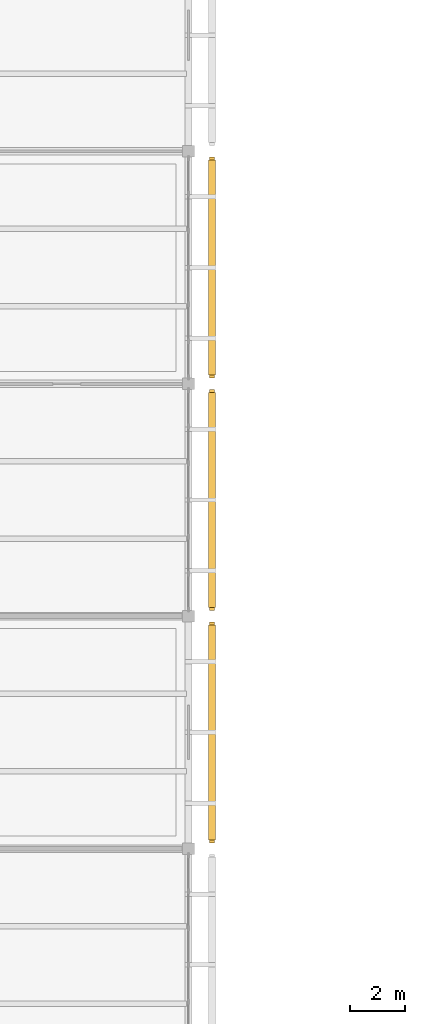
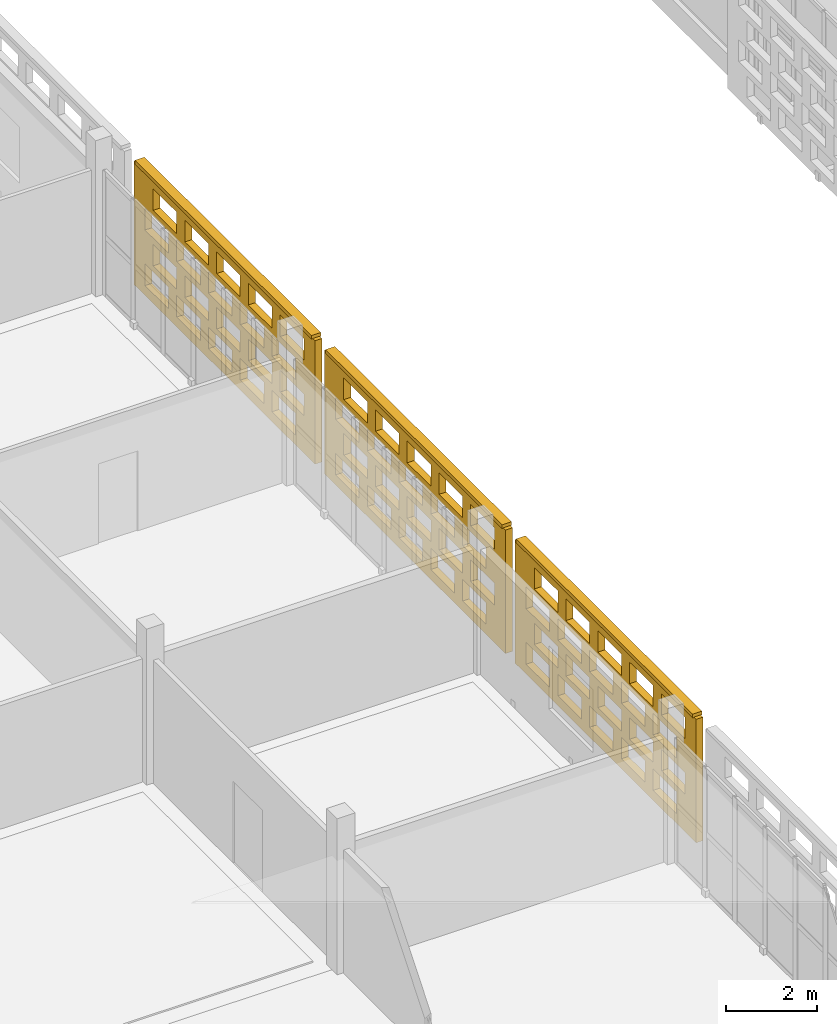
# One storey, part 108 of 140: 3 coverings, 3 shading devices, 60 openings.
"""IFC4 building model written with IfcOpenShell, lengths in metres."""

from ifc_helpers import new_model, si_unit, direction, frame, frame_2d, origin, origin_2d, place, context, subcontext, project, spatial, rectangle, extrude, material, layer, layer_set, type_object, element, save


model = new_model("IFC4")

# Units and contexts
model_context = context("Model", 3, precision=1e-05, world=origin(), true_north=direction((0.0, 1.0)))
body_context = subcontext(model_context, "Body", "Model", "MODEL_VIEW")
ifc_project = project(units=[si_unit("LENGTHUNIT", "METRE"), si_unit("AREAUNIT", "SQUARE_METRE"), si_unit("VOLUMEUNIT", "CUBIC_METRE"), si_unit("PLANEANGLEUNIT", "RADIAN"), si_unit("MASSUNIT", "GRAM", prefix="KILO")], contexts=[model_context])

# Site, building, storey
site_placement = place(None, origin())
site = spatial("IfcSite", under=ifc_project, at=site_placement, CompositionType="ELEMENT")
building_placement = place(site_placement, origin())
building = spatial("IfcBuilding", under=site, at=building_placement, Name="Varnapada Polytechnic", CompositionType="ELEMENT")
storey_placement = place(building_placement, frame((0.0, 0.0, 13.800048828125)))
storey = spatial("IfcBuildingStorey", under=building, at=storey_placement, Name="L03", CompositionType="ELEMENT", Elevation=13.800048828125)

# Covering, openings
ifc_material = material(Name="Earth-toned architectural terracotta screen block", Category="masonry")
ifc_layer_1 = layer(ifc_material, 0.1201171875)
ifc_layer_set_1 = layer_set([ifc_layer_1], Name="Earth-toned architectural terracotta screen block")
covering_type = type_object("IfcCoveringType", Name="Terracotta Screen Cladding CLD-01", PredefinedType="CLADDING", material=ifc_layer_set_1)
covering_1_placement = place(storey_placement, frame((34.449951171875, 75.389892578125, 0.0), z_axis=(0.0, 0.0, 1.0), x_axis=(0.0, -1.0, 0.0)))
covering_1 = element("IfcCovering", 1, at=covering_1_placement, inside=storey, type_object=covering_type, Name="L03 perforated terracotta block screen (25)", PredefinedType="CLADDING", context=body_context, shape_type="SweptSolid", body=[
    extrude(rectangle(XDim=7.97998046875, YDim=0.179931640625, at=frame_2d((3.989990234375, 0.0))), origin(), (0.0, 0.0, 1.0), 3.320068359375),
])
opening_1_placement = place(covering_1_placement, frame((0.489990234375, 0.0, 0.265625)))
element("IfcOpeningElement", 2, at=opening_1_placement, cuts=covering_1, Name="Screen perforation TBS-L03-024.1", PredefinedType="OPENING", context=body_context, shape_type="SweptSolid", body=[
    extrude(rectangle(XDim=1.0400390625, YDim=0.5810546875, at=frame_2d((0.52001953125, 0.29052734375))), frame((0.0, 0.099853515625, 0.0), z_axis=(0.0, -1.0, 0.0), x_axis=(1.0, 0.0, 0.0)), (0.0, 0.0, 1.0), 0.199951171875),
])
opening_2_placement = place(covering_1_placement, frame((1.889892578125, 0.0, 0.265625)))
element("IfcOpeningElement", 3, at=opening_2_placement, cuts=covering_1, Name="Screen perforation TBS-L03-024.2", PredefinedType="OPENING", context=body_context, shape_type="SweptSolid", body=[
    extrude(rectangle(XDim=1.0400390625, YDim=0.5810546875, at=frame_2d((0.52001953125, 0.29052734375))), frame((0.0, 0.099853515625, 0.0), z_axis=(0.0, -1.0, 0.0), x_axis=(1.0, 0.0, 0.0)), (0.0, 0.0, 1.0), 0.199951171875),
])
opening_3_placement = place(covering_1_placement, frame((3.2900390625, 0.0, 0.265625)))
element("IfcOpeningElement", 4, at=opening_3_placement, cuts=covering_1, Name="Screen perforation TBS-L03-024.3", PredefinedType="OPENING", context=body_context, shape_type="SweptSolid", body=[
    extrude(rectangle(XDim=1.0400390625, YDim=0.5810546875, at=frame_2d((0.52001953125, 0.29052734375))), frame((0.0, 0.099853515625, 0.0), z_axis=(0.0, -1.0, 0.0), x_axis=(1.0, 0.0, 0.0)), (0.0, 0.0, 1.0), 0.199951171875),
])
opening_4_placement = place(covering_1_placement, frame((4.68994140625, 0.0, 0.265625)))
element("IfcOpeningElement", 5, at=opening_4_placement, cuts=covering_1, Name="Screen perforation TBS-L03-024.4", PredefinedType="OPENING", context=body_context, shape_type="SweptSolid", body=[
    extrude(rectangle(XDim=1.0400390625, YDim=0.5810546875, at=frame_2d((0.52001953125, 0.29052734375))), frame((0.0, 0.099853515625, 0.0), z_axis=(0.0, -1.0, 0.0), x_axis=(1.0, 0.0, 0.0)), (0.0, 0.0, 1.0), 0.199951171875),
])
opening_5_placement = place(covering_1_placement, frame((6.090087890625, 0.0, 0.265625)))
element("IfcOpeningElement", 6, at=opening_5_placement, cuts=covering_1, Name="Screen perforation TBS-L03-024.5", PredefinedType="OPENING", context=body_context, shape_type="SweptSolid", body=[
    extrude(rectangle(XDim=1.0400390625, YDim=0.5810546875, at=frame_2d((0.52001953125, 0.29052734375))), frame((0.0, 0.099853515625, 0.0), z_axis=(0.0, -1.0, 0.0), x_axis=(1.0, 0.0, 0.0)), (0.0, 0.0, 1.0), 0.199951171875),
])
opening_6_placement = place(covering_1_placement, frame((0.85009765625, 0.0, 1.0126953125)))
element("IfcOpeningElement", 7, at=opening_6_placement, cuts=covering_1, Name="Screen perforation TBS-L03-024.6", PredefinedType="OPENING", context=body_context, shape_type="SweptSolid", body=[
    extrude(rectangle(XDim=1.0400390625, YDim=0.5810546875, at=frame_2d((0.52001953125, 0.29052734375))), frame((0.0, 0.099853515625, 0.0), z_axis=(0.0, -1.0, 0.0), x_axis=(1.0, 0.0, 0.0)), (0.0, 0.0, 1.0), 0.199951171875),
])
opening_7_placement = place(covering_1_placement, frame((2.25, 0.0, 1.0126953125)))
element("IfcOpeningElement", 8, at=opening_7_placement, cuts=covering_1, Name="Screen perforation TBS-L03-024.7", PredefinedType="OPENING", context=body_context, shape_type="SweptSolid", body=[
    extrude(rectangle(XDim=1.0400390625, YDim=0.5810546875, at=frame_2d((0.52001953125, 0.29052734375))), frame((0.0, 0.099853515625, 0.0), z_axis=(0.0, -1.0, 0.0), x_axis=(1.0, 0.0, 0.0)), (0.0, 0.0, 1.0), 0.199951171875),
])
opening_8_placement = place(covering_1_placement, frame((3.64990234375, 0.0, 1.0126953125)))
element("IfcOpeningElement", 9, at=opening_8_placement, cuts=covering_1, Name="Screen perforation TBS-L03-024.8", PredefinedType="OPENING", context=body_context, shape_type="SweptSolid", body=[
    extrude(rectangle(XDim=1.0400390625, YDim=0.5810546875, at=frame_2d((0.52001953125, 0.29052734375))), frame((0.0, 0.099853515625, 0.0), z_axis=(0.0, -1.0, 0.0), x_axis=(1.0, 0.0, 0.0)), (0.0, 0.0, 1.0), 0.199951171875),
])
opening_9_placement = place(covering_1_placement, frame((5.050048828125, 0.0, 1.0126953125)))
element("IfcOpeningElement", 10, at=opening_9_placement, cuts=covering_1, Name="Screen perforation TBS-L03-024.9", PredefinedType="OPENING", context=body_context, shape_type="SweptSolid", body=[
    extrude(rectangle(XDim=1.0400390625, YDim=0.5810546875, at=frame_2d((0.52001953125, 0.29052734375))), frame((0.0, 0.099853515625, 0.0), z_axis=(0.0, -1.0, 0.0), x_axis=(1.0, 0.0, 0.0)), (0.0, 0.0, 1.0), 0.199951171875),
])
opening_10_placement = place(covering_1_placement, frame((6.449951171875, 0.0, 1.0126953125)))
element("IfcOpeningElement", 11, at=opening_10_placement, cuts=covering_1, Name="Screen perforation TBS-L03-024.10", PredefinedType="OPENING", context=body_context, shape_type="SweptSolid", body=[
    extrude(rectangle(XDim=1.0400390625, YDim=0.5810546875, at=frame_2d((0.52001953125, 0.29052734375))), frame((0.0, 0.099853515625, 0.0), z_axis=(0.0, -1.0, 0.0), x_axis=(1.0, 0.0, 0.0)), (0.0, 0.0, 1.0), 0.199951171875),
])
opening_11_placement = place(covering_1_placement, frame((0.489990234375, 0.0, 1.759521484375)))
element("IfcOpeningElement", 12, at=opening_11_placement, cuts=covering_1, Name="Screen perforation TBS-L03-024.11", PredefinedType="OPENING", context=body_context, shape_type="SweptSolid", body=[
    extrude(rectangle(XDim=1.0400390625, YDim=0.5810546875, at=frame_2d((0.52001953125, 0.29052734375))), frame((0.0, 0.099853515625, 0.0), z_axis=(0.0, -1.0, 0.0), x_axis=(1.0, 0.0, 0.0)), (0.0, 0.0, 1.0), 0.199951171875),
])
opening_12_placement = place(covering_1_placement, frame((1.889892578125, 0.0, 1.759521484375)))
element("IfcOpeningElement", 13, at=opening_12_placement, cuts=covering_1, Name="Screen perforation TBS-L03-024.12", PredefinedType="OPENING", context=body_context, shape_type="SweptSolid", body=[
    extrude(rectangle(XDim=1.0400390625, YDim=0.5810546875, at=frame_2d((0.52001953125, 0.29052734375))), frame((0.0, 0.099853515625, 0.0), z_axis=(0.0, -1.0, 0.0), x_axis=(1.0, 0.0, 0.0)), (0.0, 0.0, 1.0), 0.199951171875),
])
opening_13_placement = place(covering_1_placement, frame((3.2900390625, 0.0, 1.759521484375)))
element("IfcOpeningElement", 14, at=opening_13_placement, cuts=covering_1, Name="Screen perforation TBS-L03-024.13", PredefinedType="OPENING", context=body_context, shape_type="SweptSolid", body=[
    extrude(rectangle(XDim=1.0400390625, YDim=0.5810546875, at=frame_2d((0.52001953125, 0.29052734375))), frame((0.0, 0.099853515625, 0.0), z_axis=(0.0, -1.0, 0.0), x_axis=(1.0, 0.0, 0.0)), (0.0, 0.0, 1.0), 0.199951171875),
])
opening_14_placement = place(covering_1_placement, frame((4.68994140625, 0.0, 1.759521484375)))
element("IfcOpeningElement", 15, at=opening_14_placement, cuts=covering_1, Name="Screen perforation TBS-L03-024.14", PredefinedType="OPENING", context=body_context, shape_type="SweptSolid", body=[
    extrude(rectangle(XDim=1.0400390625, YDim=0.5810546875, at=frame_2d((0.52001953125, 0.29052734375))), frame((0.0, 0.099853515625, 0.0), z_axis=(0.0, -1.0, 0.0), x_axis=(1.0, 0.0, 0.0)), (0.0, 0.0, 1.0), 0.199951171875),
])
opening_15_placement = place(covering_1_placement, frame((6.090087890625, 0.0, 1.759521484375)))
element("IfcOpeningElement", 16, at=opening_15_placement, cuts=covering_1, Name="Screen perforation TBS-L03-024.15", PredefinedType="OPENING", context=body_context, shape_type="SweptSolid", body=[
    extrude(rectangle(XDim=1.0400390625, YDim=0.5810546875, at=frame_2d((0.52001953125, 0.29052734375))), frame((0.0, 0.099853515625, 0.0), z_axis=(0.0, -1.0, 0.0), x_axis=(1.0, 0.0, 0.0)), (0.0, 0.0, 1.0), 0.199951171875),
])
opening_16_placement = place(covering_1_placement, frame((0.85009765625, 0.0, 2.506591796875)))
element("IfcOpeningElement", 17, at=opening_16_placement, cuts=covering_1, Name="Screen perforation TBS-L03-024.16", PredefinedType="OPENING", context=body_context, shape_type="SweptSolid", body=[
    extrude(rectangle(XDim=1.0400390625, YDim=0.5810546875, at=frame_2d((0.52001953125, 0.29052734375))), frame((0.0, 0.099853515625, 0.0), z_axis=(0.0, -1.0, 0.0), x_axis=(1.0, 0.0, 0.0)), (0.0, 0.0, 1.0), 0.199951171875),
])
opening_17_placement = place(covering_1_placement, frame((2.25, 0.0, 2.506591796875)))
element("IfcOpeningElement", 18, at=opening_17_placement, cuts=covering_1, Name="Screen perforation TBS-L03-024.17", PredefinedType="OPENING", context=body_context, shape_type="SweptSolid", body=[
    extrude(rectangle(XDim=1.0400390625, YDim=0.5810546875, at=frame_2d((0.52001953125, 0.29052734375))), frame((0.0, 0.099853515625, 0.0), z_axis=(0.0, -1.0, 0.0), x_axis=(1.0, 0.0, 0.0)), (0.0, 0.0, 1.0), 0.199951171875),
])
opening_18_placement = place(covering_1_placement, frame((3.64990234375, 0.0, 2.506591796875)))
element("IfcOpeningElement", 19, at=opening_18_placement, cuts=covering_1, Name="Screen perforation TBS-L03-024.18", PredefinedType="OPENING", context=body_context, shape_type="SweptSolid", body=[
    extrude(rectangle(XDim=1.0400390625, YDim=0.5810546875, at=frame_2d((0.52001953125, 0.29052734375))), frame((0.0, 0.099853515625, 0.0), z_axis=(0.0, -1.0, 0.0), x_axis=(1.0, 0.0, 0.0)), (0.0, 0.0, 1.0), 0.199951171875),
])
opening_19_placement = place(covering_1_placement, frame((5.050048828125, 0.0, 2.506591796875)))
element("IfcOpeningElement", 20, at=opening_19_placement, cuts=covering_1, Name="Screen perforation TBS-L03-024.19", PredefinedType="OPENING", context=body_context, shape_type="SweptSolid", body=[
    extrude(rectangle(XDim=1.0400390625, YDim=0.5810546875, at=frame_2d((0.52001953125, 0.29052734375))), frame((0.0, 0.099853515625, 0.0), z_axis=(0.0, -1.0, 0.0), x_axis=(1.0, 0.0, 0.0)), (0.0, 0.0, 1.0), 0.199951171875),
])
opening_20_placement = place(covering_1_placement, frame((6.449951171875, 0.0, 2.506591796875)))
element("IfcOpeningElement", 21, at=opening_20_placement, cuts=covering_1, Name="Screen perforation TBS-L03-024.20", PredefinedType="OPENING", context=body_context, shape_type="SweptSolid", body=[
    extrude(rectangle(XDim=1.0400390625, YDim=0.5810546875, at=frame_2d((0.52001953125, 0.29052734375))), frame((0.0, 0.099853515625, 0.0), z_axis=(0.0, -1.0, 0.0), x_axis=(1.0, 0.0, 0.0)), (0.0, 0.0, 1.0), 0.199951171875),
])

covering_2_placement = place(storey_placement, frame((34.449951171875, 83.7900390625, 0.0), z_axis=(0.0, 0.0, 1.0), x_axis=(0.0, -1.0, 0.0)))
covering_2 = element("IfcCovering", 22, at=covering_2_placement, inside=storey, type_object=covering_type, Name="L03 perforated terracotta block screen (26)", PredefinedType="CLADDING", context=body_context, shape_type="SweptSolid", body=[
    extrude(rectangle(XDim=7.97998046875, YDim=0.179931640625, at=frame_2d((3.989990234375, 0.0))), origin(), (0.0, 0.0, 1.0), 3.320068359375),
])
opening_21_placement = place(covering_2_placement, frame((0.489990234375, 0.0, 0.265625)))
element("IfcOpeningElement", 23, at=opening_21_placement, cuts=covering_2, Name="Screen perforation TBS-L03-025.1", PredefinedType="OPENING", context=body_context, shape_type="SweptSolid", body=[
    extrude(rectangle(XDim=1.0400390625, YDim=0.5810546875, at=frame_2d((0.52001953125, 0.29052734375))), frame((0.0, 0.099853515625, 0.0), z_axis=(0.0, -1.0, 0.0), x_axis=(1.0, 0.0, 0.0)), (0.0, 0.0, 1.0), 0.199951171875),
])
opening_22_placement = place(covering_2_placement, frame((1.889892578125, 0.0, 0.265625)))
element("IfcOpeningElement", 24, at=opening_22_placement, cuts=covering_2, Name="Screen perforation TBS-L03-025.2", PredefinedType="OPENING", context=body_context, shape_type="SweptSolid", body=[
    extrude(rectangle(XDim=1.0400390625, YDim=0.5810546875, at=frame_2d((0.52001953125, 0.29052734375))), frame((0.0, 0.099853515625, 0.0), z_axis=(0.0, -1.0, 0.0), x_axis=(1.0, 0.0, 0.0)), (0.0, 0.0, 1.0), 0.199951171875),
])
opening_23_placement = place(covering_2_placement, frame((3.2900390625, 0.0, 0.265625)))
element("IfcOpeningElement", 25, at=opening_23_placement, cuts=covering_2, Name="Screen perforation TBS-L03-025.3", PredefinedType="OPENING", context=body_context, shape_type="SweptSolid", body=[
    extrude(rectangle(XDim=1.0400390625, YDim=0.5810546875, at=frame_2d((0.52001953125, 0.29052734375))), frame((0.0, 0.099853515625, 0.0), z_axis=(0.0, -1.0, 0.0), x_axis=(1.0, 0.0, 0.0)), (0.0, 0.0, 1.0), 0.199951171875),
])
opening_24_placement = place(covering_2_placement, frame((4.68994140625, 0.0, 0.265625)))
element("IfcOpeningElement", 26, at=opening_24_placement, cuts=covering_2, Name="Screen perforation TBS-L03-025.4", PredefinedType="OPENING", context=body_context, shape_type="SweptSolid", body=[
    extrude(rectangle(XDim=1.0400390625, YDim=0.5810546875, at=frame_2d((0.52001953125, 0.29052734375))), frame((0.0, 0.099853515625, 0.0), z_axis=(0.0, -1.0, 0.0), x_axis=(1.0, 0.0, 0.0)), (0.0, 0.0, 1.0), 0.199951171875),
])
opening_25_placement = place(covering_2_placement, frame((6.090087890625, 0.0, 0.265625)))
element("IfcOpeningElement", 27, at=opening_25_placement, cuts=covering_2, Name="Screen perforation TBS-L03-025.5", PredefinedType="OPENING", context=body_context, shape_type="SweptSolid", body=[
    extrude(rectangle(XDim=1.0400390625, YDim=0.5810546875, at=frame_2d((0.52001953125, 0.29052734375))), frame((0.0, 0.099853515625, 0.0), z_axis=(0.0, -1.0, 0.0), x_axis=(1.0, 0.0, 0.0)), (0.0, 0.0, 1.0), 0.199951171875),
])
opening_26_placement = place(covering_2_placement, frame((0.85009765625, 0.0, 1.0126953125)))
element("IfcOpeningElement", 28, at=opening_26_placement, cuts=covering_2, Name="Screen perforation TBS-L03-025.6", PredefinedType="OPENING", context=body_context, shape_type="SweptSolid", body=[
    extrude(rectangle(XDim=1.0400390625, YDim=0.5810546875, at=frame_2d((0.52001953125, 0.29052734375))), frame((0.0, 0.099853515625, 0.0), z_axis=(0.0, -1.0, 0.0), x_axis=(1.0, 0.0, 0.0)), (0.0, 0.0, 1.0), 0.199951171875),
])
opening_27_placement = place(covering_2_placement, frame((2.25, 0.0, 1.0126953125)))
element("IfcOpeningElement", 29, at=opening_27_placement, cuts=covering_2, Name="Screen perforation TBS-L03-025.7", PredefinedType="OPENING", context=body_context, shape_type="SweptSolid", body=[
    extrude(rectangle(XDim=1.0400390625, YDim=0.5810546875, at=frame_2d((0.52001953125, 0.29052734375))), frame((0.0, 0.099853515625, 0.0), z_axis=(0.0, -1.0, 0.0), x_axis=(1.0, 0.0, 0.0)), (0.0, 0.0, 1.0), 0.199951171875),
])
opening_28_placement = place(covering_2_placement, frame((3.64990234375, 0.0, 1.0126953125)))
element("IfcOpeningElement", 30, at=opening_28_placement, cuts=covering_2, Name="Screen perforation TBS-L03-025.8", PredefinedType="OPENING", context=body_context, shape_type="SweptSolid", body=[
    extrude(rectangle(XDim=1.0400390625, YDim=0.5810546875, at=frame_2d((0.52001953125, 0.29052734375))), frame((0.0, 0.099853515625, 0.0), z_axis=(0.0, -1.0, 0.0), x_axis=(1.0, 0.0, 0.0)), (0.0, 0.0, 1.0), 0.199951171875),
])
opening_29_placement = place(covering_2_placement, frame((5.050048828125, 0.0, 1.0126953125)))
element("IfcOpeningElement", 31, at=opening_29_placement, cuts=covering_2, Name="Screen perforation TBS-L03-025.9", PredefinedType="OPENING", context=body_context, shape_type="SweptSolid", body=[
    extrude(rectangle(XDim=1.0400390625, YDim=0.5810546875, at=frame_2d((0.52001953125, 0.29052734375))), frame((0.0, 0.099853515625, 0.0), z_axis=(0.0, -1.0, 0.0), x_axis=(1.0, 0.0, 0.0)), (0.0, 0.0, 1.0), 0.199951171875),
])
opening_30_placement = place(covering_2_placement, frame((6.449951171875, 0.0, 1.0126953125)))
element("IfcOpeningElement", 32, at=opening_30_placement, cuts=covering_2, Name="Screen perforation TBS-L03-025.10", PredefinedType="OPENING", context=body_context, shape_type="SweptSolid", body=[
    extrude(rectangle(XDim=1.0400390625, YDim=0.5810546875, at=frame_2d((0.52001953125, 0.29052734375))), frame((0.0, 0.099853515625, 0.0), z_axis=(0.0, -1.0, 0.0), x_axis=(1.0, 0.0, 0.0)), (0.0, 0.0, 1.0), 0.199951171875),
])
opening_31_placement = place(covering_2_placement, frame((0.489990234375, 0.0, 1.759521484375)))
element("IfcOpeningElement", 33, at=opening_31_placement, cuts=covering_2, Name="Screen perforation TBS-L03-025.11", PredefinedType="OPENING", context=body_context, shape_type="SweptSolid", body=[
    extrude(rectangle(XDim=1.0400390625, YDim=0.5810546875, at=frame_2d((0.52001953125, 0.29052734375))), frame((0.0, 0.099853515625, 0.0), z_axis=(0.0, -1.0, 0.0), x_axis=(1.0, 0.0, 0.0)), (0.0, 0.0, 1.0), 0.199951171875),
])
opening_32_placement = place(covering_2_placement, frame((1.889892578125, 0.0, 1.759521484375)))
element("IfcOpeningElement", 34, at=opening_32_placement, cuts=covering_2, Name="Screen perforation TBS-L03-025.12", PredefinedType="OPENING", context=body_context, shape_type="SweptSolid", body=[
    extrude(rectangle(XDim=1.0400390625, YDim=0.5810546875, at=frame_2d((0.52001953125, 0.29052734375))), frame((0.0, 0.099853515625, 0.0), z_axis=(0.0, -1.0, 0.0), x_axis=(1.0, 0.0, 0.0)), (0.0, 0.0, 1.0), 0.199951171875),
])
opening_33_placement = place(covering_2_placement, frame((3.2900390625, 0.0, 1.759521484375)))
element("IfcOpeningElement", 35, at=opening_33_placement, cuts=covering_2, Name="Screen perforation TBS-L03-025.13", PredefinedType="OPENING", context=body_context, shape_type="SweptSolid", body=[
    extrude(rectangle(XDim=1.0400390625, YDim=0.5810546875, at=frame_2d((0.52001953125, 0.29052734375))), frame((0.0, 0.099853515625, 0.0), z_axis=(0.0, -1.0, 0.0), x_axis=(1.0, 0.0, 0.0)), (0.0, 0.0, 1.0), 0.199951171875),
])
opening_34_placement = place(covering_2_placement, frame((4.68994140625, 0.0, 1.759521484375)))
element("IfcOpeningElement", 36, at=opening_34_placement, cuts=covering_2, Name="Screen perforation TBS-L03-025.14", PredefinedType="OPENING", context=body_context, shape_type="SweptSolid", body=[
    extrude(rectangle(XDim=1.0400390625, YDim=0.5810546875, at=frame_2d((0.52001953125, 0.29052734375))), frame((0.0, 0.099853515625, 0.0), z_axis=(0.0, -1.0, 0.0), x_axis=(1.0, 0.0, 0.0)), (0.0, 0.0, 1.0), 0.199951171875),
])
opening_35_placement = place(covering_2_placement, frame((6.090087890625, 0.0, 1.759521484375)))
element("IfcOpeningElement", 37, at=opening_35_placement, cuts=covering_2, Name="Screen perforation TBS-L03-025.15", PredefinedType="OPENING", context=body_context, shape_type="SweptSolid", body=[
    extrude(rectangle(XDim=1.0400390625, YDim=0.5810546875, at=frame_2d((0.52001953125, 0.29052734375))), frame((0.0, 0.099853515625, 0.0), z_axis=(0.0, -1.0, 0.0), x_axis=(1.0, 0.0, 0.0)), (0.0, 0.0, 1.0), 0.199951171875),
])
opening_36_placement = place(covering_2_placement, frame((0.85009765625, 0.0, 2.506591796875)))
element("IfcOpeningElement", 38, at=opening_36_placement, cuts=covering_2, Name="Screen perforation TBS-L03-025.16", PredefinedType="OPENING", context=body_context, shape_type="SweptSolid", body=[
    extrude(rectangle(XDim=1.0400390625, YDim=0.5810546875, at=frame_2d((0.52001953125, 0.29052734375))), frame((0.0, 0.099853515625, 0.0), z_axis=(0.0, -1.0, 0.0), x_axis=(1.0, 0.0, 0.0)), (0.0, 0.0, 1.0), 0.199951171875),
])
opening_37_placement = place(covering_2_placement, frame((2.25, 0.0, 2.506591796875)))
element("IfcOpeningElement", 39, at=opening_37_placement, cuts=covering_2, Name="Screen perforation TBS-L03-025.17", PredefinedType="OPENING", context=body_context, shape_type="SweptSolid", body=[
    extrude(rectangle(XDim=1.0400390625, YDim=0.5810546875, at=frame_2d((0.52001953125, 0.29052734375))), frame((0.0, 0.099853515625, 0.0), z_axis=(0.0, -1.0, 0.0), x_axis=(1.0, 0.0, 0.0)), (0.0, 0.0, 1.0), 0.199951171875),
])
opening_38_placement = place(covering_2_placement, frame((3.64990234375, 0.0, 2.506591796875)))
element("IfcOpeningElement", 40, at=opening_38_placement, cuts=covering_2, Name="Screen perforation TBS-L03-025.18", PredefinedType="OPENING", context=body_context, shape_type="SweptSolid", body=[
    extrude(rectangle(XDim=1.0400390625, YDim=0.5810546875, at=frame_2d((0.52001953125, 0.29052734375))), frame((0.0, 0.099853515625, 0.0), z_axis=(0.0, -1.0, 0.0), x_axis=(1.0, 0.0, 0.0)), (0.0, 0.0, 1.0), 0.199951171875),
])
opening_39_placement = place(covering_2_placement, frame((5.050048828125, 0.0, 2.506591796875)))
element("IfcOpeningElement", 41, at=opening_39_placement, cuts=covering_2, Name="Screen perforation TBS-L03-025.19", PredefinedType="OPENING", context=body_context, shape_type="SweptSolid", body=[
    extrude(rectangle(XDim=1.0400390625, YDim=0.5810546875, at=frame_2d((0.52001953125, 0.29052734375))), frame((0.0, 0.099853515625, 0.0), z_axis=(0.0, -1.0, 0.0), x_axis=(1.0, 0.0, 0.0)), (0.0, 0.0, 1.0), 0.199951171875),
])
opening_40_placement = place(covering_2_placement, frame((6.449951171875, 0.0, 2.506591796875)))
element("IfcOpeningElement", 42, at=opening_40_placement, cuts=covering_2, Name="Screen perforation TBS-L03-025.20", PredefinedType="OPENING", context=body_context, shape_type="SweptSolid", body=[
    extrude(rectangle(XDim=1.0400390625, YDim=0.5810546875, at=frame_2d((0.52001953125, 0.29052734375))), frame((0.0, 0.099853515625, 0.0), z_axis=(0.0, -1.0, 0.0), x_axis=(1.0, 0.0, 0.0)), (0.0, 0.0, 1.0), 0.199951171875),
])

covering_3_placement = place(storey_placement, frame((34.449951171875, 92.18994140625, 0.0), z_axis=(0.0, 0.0, 1.0), x_axis=(0.0, -1.0, 0.0)))
covering_3 = element("IfcCovering", 43, at=covering_3_placement, inside=storey, type_object=covering_type, Name="L03 perforated terracotta block screen (27)", PredefinedType="CLADDING", context=body_context, shape_type="SweptSolid", body=[
    extrude(rectangle(XDim=7.97998046875, YDim=0.179931640625, at=frame_2d((3.989990234375, 0.0))), origin(), (0.0, 0.0, 1.0), 3.320068359375),
])
opening_41_placement = place(covering_3_placement, frame((0.489990234375, 0.0, 0.265625)))
element("IfcOpeningElement", 44, at=opening_41_placement, cuts=covering_3, Name="Screen perforation TBS-L03-026.1", PredefinedType="OPENING", context=body_context, shape_type="SweptSolid", body=[
    extrude(rectangle(XDim=1.0400390625, YDim=0.5810546875, at=frame_2d((0.52001953125, 0.29052734375))), frame((0.0, 0.099853515625, 0.0), z_axis=(0.0, -1.0, 0.0), x_axis=(1.0, 0.0, 0.0)), (0.0, 0.0, 1.0), 0.199951171875),
])
opening_42_placement = place(covering_3_placement, frame((1.889892578125, 0.0, 0.265625)))
element("IfcOpeningElement", 45, at=opening_42_placement, cuts=covering_3, Name="Screen perforation TBS-L03-026.2", PredefinedType="OPENING", context=body_context, shape_type="SweptSolid", body=[
    extrude(rectangle(XDim=1.0400390625, YDim=0.5810546875, at=frame_2d((0.52001953125, 0.29052734375))), frame((0.0, 0.099853515625, 0.0), z_axis=(0.0, -1.0, 0.0), x_axis=(1.0, 0.0, 0.0)), (0.0, 0.0, 1.0), 0.199951171875),
])
opening_43_placement = place(covering_3_placement, frame((3.2900390625, 0.0, 0.265625)))
element("IfcOpeningElement", 46, at=opening_43_placement, cuts=covering_3, Name="Screen perforation TBS-L03-026.3", PredefinedType="OPENING", context=body_context, shape_type="SweptSolid", body=[
    extrude(rectangle(XDim=1.0400390625, YDim=0.5810546875, at=frame_2d((0.52001953125, 0.29052734375))), frame((0.0, 0.099853515625, 0.0), z_axis=(0.0, -1.0, 0.0), x_axis=(1.0, 0.0, 0.0)), (0.0, 0.0, 1.0), 0.199951171875),
])
opening_44_placement = place(covering_3_placement, frame((4.68994140625, 0.0, 0.265625)))
element("IfcOpeningElement", 47, at=opening_44_placement, cuts=covering_3, Name="Screen perforation TBS-L03-026.4", PredefinedType="OPENING", context=body_context, shape_type="SweptSolid", body=[
    extrude(rectangle(XDim=1.0400390625, YDim=0.5810546875, at=frame_2d((0.52001953125, 0.29052734375))), frame((0.0, 0.099853515625, 0.0), z_axis=(0.0, -1.0, 0.0), x_axis=(1.0, 0.0, 0.0)), (0.0, 0.0, 1.0), 0.199951171875),
])
opening_45_placement = place(covering_3_placement, frame((6.090087890625, 0.0, 0.265625)))
element("IfcOpeningElement", 48, at=opening_45_placement, cuts=covering_3, Name="Screen perforation TBS-L03-026.5", PredefinedType="OPENING", context=body_context, shape_type="SweptSolid", body=[
    extrude(rectangle(XDim=1.0400390625, YDim=0.5810546875, at=frame_2d((0.52001953125, 0.29052734375))), frame((0.0, 0.099853515625, 0.0), z_axis=(0.0, -1.0, 0.0), x_axis=(1.0, 0.0, 0.0)), (0.0, 0.0, 1.0), 0.199951171875),
])
opening_46_placement = place(covering_3_placement, frame((0.85009765625, 0.0, 1.0126953125)))
element("IfcOpeningElement", 49, at=opening_46_placement, cuts=covering_3, Name="Screen perforation TBS-L03-026.6", PredefinedType="OPENING", context=body_context, shape_type="SweptSolid", body=[
    extrude(rectangle(XDim=1.0400390625, YDim=0.5810546875, at=frame_2d((0.52001953125, 0.29052734375))), frame((0.0, 0.099853515625, 0.0), z_axis=(0.0, -1.0, 0.0), x_axis=(1.0, 0.0, 0.0)), (0.0, 0.0, 1.0), 0.199951171875),
])
opening_47_placement = place(covering_3_placement, frame((2.25, 0.0, 1.0126953125)))
element("IfcOpeningElement", 50, at=opening_47_placement, cuts=covering_3, Name="Screen perforation TBS-L03-026.7", PredefinedType="OPENING", context=body_context, shape_type="SweptSolid", body=[
    extrude(rectangle(XDim=1.0400390625, YDim=0.5810546875, at=frame_2d((0.52001953125, 0.29052734375))), frame((0.0, 0.099853515625, 0.0), z_axis=(0.0, -1.0, 0.0), x_axis=(1.0, 0.0, 0.0)), (0.0, 0.0, 1.0), 0.199951171875),
])
opening_48_placement = place(covering_3_placement, frame((3.64990234375, 0.0, 1.0126953125)))
element("IfcOpeningElement", 51, at=opening_48_placement, cuts=covering_3, Name="Screen perforation TBS-L03-026.8", PredefinedType="OPENING", context=body_context, shape_type="SweptSolid", body=[
    extrude(rectangle(XDim=1.0400390625, YDim=0.5810546875, at=frame_2d((0.52001953125, 0.29052734375))), frame((0.0, 0.099853515625, 0.0), z_axis=(0.0, -1.0, 0.0), x_axis=(1.0, 0.0, 0.0)), (0.0, 0.0, 1.0), 0.199951171875),
])
opening_49_placement = place(covering_3_placement, frame((5.050048828125, 0.0, 1.0126953125)))
element("IfcOpeningElement", 52, at=opening_49_placement, cuts=covering_3, Name="Screen perforation TBS-L03-026.9", PredefinedType="OPENING", context=body_context, shape_type="SweptSolid", body=[
    extrude(rectangle(XDim=1.0400390625, YDim=0.5810546875, at=frame_2d((0.52001953125, 0.29052734375))), frame((0.0, 0.099853515625, 0.0), z_axis=(0.0, -1.0, 0.0), x_axis=(1.0, 0.0, 0.0)), (0.0, 0.0, 1.0), 0.199951171875),
])
opening_50_placement = place(covering_3_placement, frame((6.449951171875, 0.0, 1.0126953125)))
element("IfcOpeningElement", 53, at=opening_50_placement, cuts=covering_3, Name="Screen perforation TBS-L03-026.10", PredefinedType="OPENING", context=body_context, shape_type="SweptSolid", body=[
    extrude(rectangle(XDim=1.0400390625, YDim=0.5810546875, at=frame_2d((0.52001953125, 0.29052734375))), frame((0.0, 0.099853515625, 0.0), z_axis=(0.0, -1.0, 0.0), x_axis=(1.0, 0.0, 0.0)), (0.0, 0.0, 1.0), 0.199951171875),
])
opening_51_placement = place(covering_3_placement, frame((0.489990234375, 0.0, 1.759521484375)))
element("IfcOpeningElement", 54, at=opening_51_placement, cuts=covering_3, Name="Screen perforation TBS-L03-026.11", PredefinedType="OPENING", context=body_context, shape_type="SweptSolid", body=[
    extrude(rectangle(XDim=1.0400390625, YDim=0.5810546875, at=frame_2d((0.52001953125, 0.29052734375))), frame((0.0, 0.099853515625, 0.0), z_axis=(0.0, -1.0, 0.0), x_axis=(1.0, 0.0, 0.0)), (0.0, 0.0, 1.0), 0.199951171875),
])
opening_52_placement = place(covering_3_placement, frame((1.889892578125, 0.0, 1.759521484375)))
element("IfcOpeningElement", 55, at=opening_52_placement, cuts=covering_3, Name="Screen perforation TBS-L03-026.12", PredefinedType="OPENING", context=body_context, shape_type="SweptSolid", body=[
    extrude(rectangle(XDim=1.0400390625, YDim=0.5810546875, at=frame_2d((0.52001953125, 0.29052734375))), frame((0.0, 0.099853515625, 0.0), z_axis=(0.0, -1.0, 0.0), x_axis=(1.0, 0.0, 0.0)), (0.0, 0.0, 1.0), 0.199951171875),
])
opening_53_placement = place(covering_3_placement, frame((3.2900390625, 0.0, 1.759521484375)))
element("IfcOpeningElement", 56, at=opening_53_placement, cuts=covering_3, Name="Screen perforation TBS-L03-026.13", PredefinedType="OPENING", context=body_context, shape_type="SweptSolid", body=[
    extrude(rectangle(XDim=1.0400390625, YDim=0.5810546875, at=frame_2d((0.52001953125, 0.29052734375))), frame((0.0, 0.099853515625, 0.0), z_axis=(0.0, -1.0, 0.0), x_axis=(1.0, 0.0, 0.0)), (0.0, 0.0, 1.0), 0.199951171875),
])
opening_54_placement = place(covering_3_placement, frame((4.68994140625, 0.0, 1.759521484375)))
element("IfcOpeningElement", 57, at=opening_54_placement, cuts=covering_3, Name="Screen perforation TBS-L03-026.14", PredefinedType="OPENING", context=body_context, shape_type="SweptSolid", body=[
    extrude(rectangle(XDim=1.0400390625, YDim=0.5810546875, at=frame_2d((0.52001953125, 0.29052734375))), frame((0.0, 0.099853515625, 0.0), z_axis=(0.0, -1.0, 0.0), x_axis=(1.0, 0.0, 0.0)), (0.0, 0.0, 1.0), 0.199951171875),
])
opening_55_placement = place(covering_3_placement, frame((6.090087890625, 0.0, 1.759521484375)))
element("IfcOpeningElement", 58, at=opening_55_placement, cuts=covering_3, Name="Screen perforation TBS-L03-026.15", PredefinedType="OPENING", context=body_context, shape_type="SweptSolid", body=[
    extrude(rectangle(XDim=1.0400390625, YDim=0.5810546875, at=frame_2d((0.52001953125, 0.29052734375))), frame((0.0, 0.099853515625, 0.0), z_axis=(0.0, -1.0, 0.0), x_axis=(1.0, 0.0, 0.0)), (0.0, 0.0, 1.0), 0.199951171875),
])
opening_56_placement = place(covering_3_placement, frame((0.85009765625, 0.0, 2.506591796875)))
element("IfcOpeningElement", 59, at=opening_56_placement, cuts=covering_3, Name="Screen perforation TBS-L03-026.16", PredefinedType="OPENING", context=body_context, shape_type="SweptSolid", body=[
    extrude(rectangle(XDim=1.0400390625, YDim=0.5810546875, at=frame_2d((0.52001953125, 0.29052734375))), frame((0.0, 0.099853515625, 0.0), z_axis=(0.0, -1.0, 0.0), x_axis=(1.0, 0.0, 0.0)), (0.0, 0.0, 1.0), 0.199951171875),
])
opening_57_placement = place(covering_3_placement, frame((2.25, 0.0, 2.506591796875)))
element("IfcOpeningElement", 60, at=opening_57_placement, cuts=covering_3, Name="Screen perforation TBS-L03-026.17", PredefinedType="OPENING", context=body_context, shape_type="SweptSolid", body=[
    extrude(rectangle(XDim=1.0400390625, YDim=0.5810546875, at=frame_2d((0.52001953125, 0.29052734375))), frame((0.0, 0.099853515625, 0.0), z_axis=(0.0, -1.0, 0.0), x_axis=(1.0, 0.0, 0.0)), (0.0, 0.0, 1.0), 0.199951171875),
])
opening_58_placement = place(covering_3_placement, frame((3.64990234375, 0.0, 2.506591796875)))
element("IfcOpeningElement", 61, at=opening_58_placement, cuts=covering_3, Name="Screen perforation TBS-L03-026.18", PredefinedType="OPENING", context=body_context, shape_type="SweptSolid", body=[
    extrude(rectangle(XDim=1.0400390625, YDim=0.5810546875, at=frame_2d((0.52001953125, 0.29052734375))), frame((0.0, 0.099853515625, 0.0), z_axis=(0.0, -1.0, 0.0), x_axis=(1.0, 0.0, 0.0)), (0.0, 0.0, 1.0), 0.199951171875),
])
opening_59_placement = place(covering_3_placement, frame((5.050048828125, 0.0, 2.506591796875)))
element("IfcOpeningElement", 62, at=opening_59_placement, cuts=covering_3, Name="Screen perforation TBS-L03-026.19", PredefinedType="OPENING", context=body_context, shape_type="SweptSolid", body=[
    extrude(rectangle(XDim=1.0400390625, YDim=0.5810546875, at=frame_2d((0.52001953125, 0.29052734375))), frame((0.0, 0.099853515625, 0.0), z_axis=(0.0, -1.0, 0.0), x_axis=(1.0, 0.0, 0.0)), (0.0, 0.0, 1.0), 0.199951171875),
])
opening_60_placement = place(covering_3_placement, frame((6.449951171875, 0.0, 2.506591796875)))
element("IfcOpeningElement", 63, at=opening_60_placement, cuts=covering_3, Name="Screen perforation TBS-L03-026.20", PredefinedType="OPENING", context=body_context, shape_type="SweptSolid", body=[
    extrude(rectangle(XDim=1.0400390625, YDim=0.5810546875, at=frame_2d((0.52001953125, 0.29052734375))), frame((0.0, 0.099853515625, 0.0), z_axis=(0.0, -1.0, 0.0), x_axis=(1.0, 0.0, 0.0)), (0.0, 0.0, 1.0), 0.199951171875),
])

# Shading devices
ifc_layer_2 = layer(ifc_material, 0.179931640625)
ifc_layer_set_2 = layer_set([ifc_layer_2], Name="Earth-toned architectural terracotta screen block")
shading_device_type = type_object("IfcShadingDeviceType", Name="Terracotta Screen SCR-01", PredefinedType="USERDEFINED", material=ifc_layer_set_2)
for number, where, z_axis, x_axis, name in (
    (64, (34.449951171875, 71.39990234375, 3.309814453125), (0.0, 0.0, 1.0), (0.0, -1.0, 0.0), "L03 perforated terracotta screen hood 360"),
    (65, (34.449951171875, 79.800048828125, 3.309814453125), (0.0, 0.0, 1.0), (0.0, -1.0, 0.0), "L03 perforated terracotta screen hood 361"),
    (66, (34.449951171875, 88.199951171875, 3.309814453125), (0.0, 0.0, 1.0), (0.0, -1.0, 0.0), "L03 perforated terracotta screen hood 362"),
):
    element("IfcShadingDevice", number, at=place(storey_placement, frame(where, z_axis=z_axis, x_axis=x_axis)), inside=storey, type_object=shading_device_type, Name=name, ObjectType="SCREEN", PredefinedType="USERDEFINED", context=body_context, shape_type="SweptSolid", body=[
        extrude(rectangle(XDim=7.780029296875, YDim=0.239990234375, at=origin_2d()), origin(), (0.0, 0.0, 1.0), 0.10009765625),
    ])

save(model, "model.ifc")
